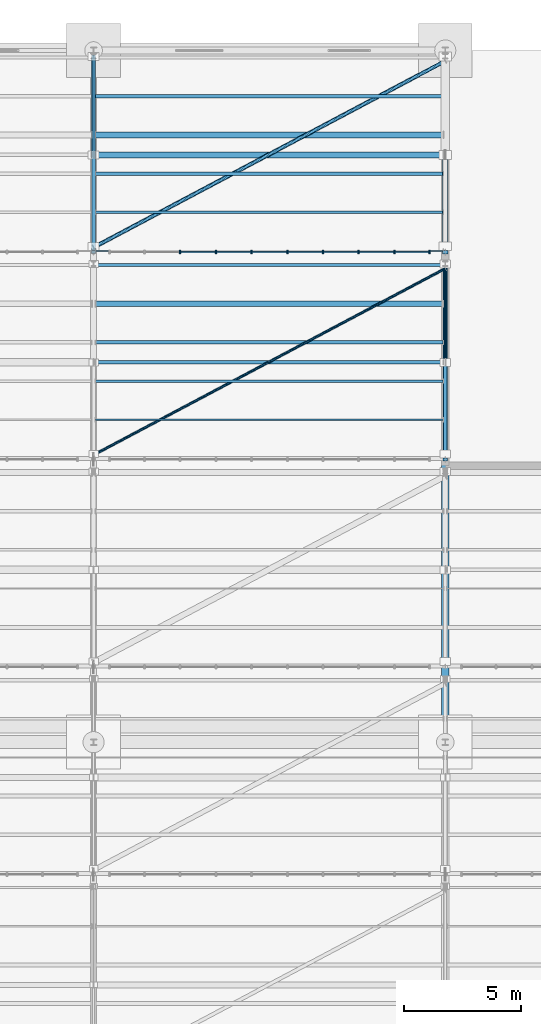
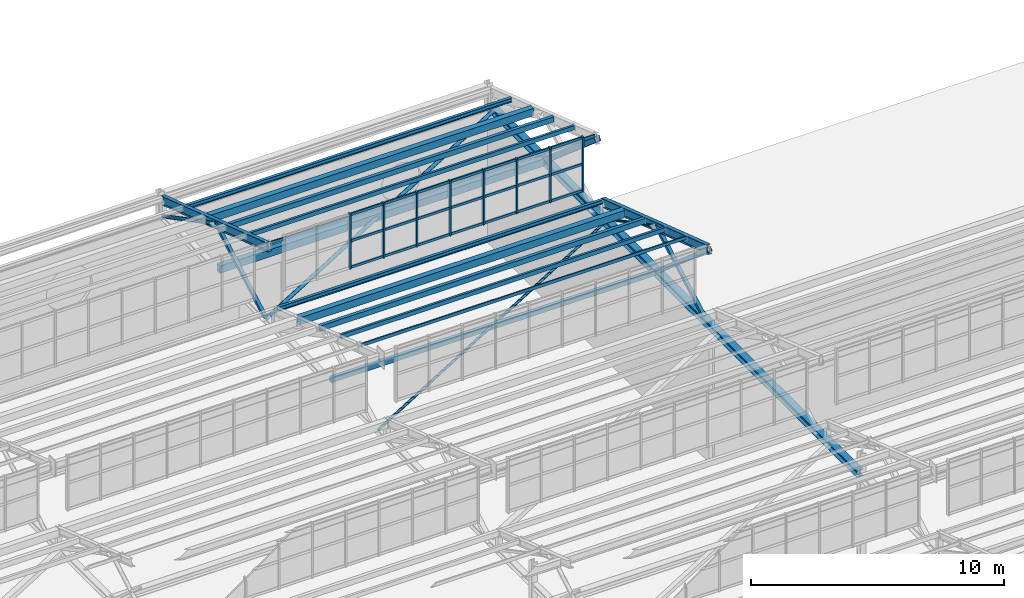
# One storey, part 132 of 285: 39 members, 13 beams, 1 element without a shape of its own.
"""IFC4 building model written with IfcOpenShell, lengths in metres."""

from ifc_helpers import new_model, si_unit, direction, frame, origin, origin_2d, place, context, subcontext, project, spatial, rectangle, hollow_rectangle, hollow_circle, i_section, extrude, material, material_profile, profile_set, type_object, element, aggregate, save


model = new_model("IFC4")

# Units and contexts
model_context = context("Model", 3, precision=1e-05, world=origin(), true_north=direction((0.0, 1.0)))
body_context = subcontext(model_context, "Body", "Model", "MODEL_VIEW")
ifc_project = project(units=[si_unit("LENGTHUNIT", "METRE"), si_unit("AREAUNIT", "SQUARE_METRE"), si_unit("VOLUMEUNIT", "CUBIC_METRE"), si_unit("PLANEANGLEUNIT", "RADIAN"), si_unit("MASSUNIT", "GRAM", prefix="KILO")], contexts=[model_context])

# Site, building, storey
site_placement = place(None, origin())
site = spatial("IfcSite", under=ifc_project, at=site_placement, CompositionType="ELEMENT")
building_placement = place(site_placement, origin())
building = spatial("IfcBuilding", under=site, at=building_placement, Name="Solanera Park Tramway Depot", CompositionType="ELEMENT")
storey_placement = place(building_placement, origin())
storey = spatial("IfcBuildingStorey", under=building, at=storey_placement, Name="L00", CompositionType="ELEMENT", Elevation=0.0)

# Curtain wall, members
ifc_material_1 = material(Name="Bronze-anodised thermally broken aluminium curtain wall", Category="aluminium")
curtain_wall_type = type_object("IfcCurtainWallType", Name="Sawtooth Clerestory Monitor Curtain Wall", PredefinedType="NOTDEFINED", material=ifc_material_1)
curtain_wall_placement = place(storey_placement, origin())
curtain_wall = element("IfcCurtainWall", 1, at=curtain_wall_placement, inside=storey, type_object=curtain_wall_type, Name="L00 Sawtooth Clerestory Monitor Curtain Wall #068", PredefinedType="NOTDEFINED")
ifc_material_2 = material(Name="Bronze-anodised structural aluminium 6063-T6", Category="aluminium")
ifc_material_profile_1 = material_profile(ifc_material_2, rectangle(XDim=0.06494140625, YDim=0.14990234375, at=origin_2d()), Name="Curtain Wall Mullion 65x150")
ifc_profile_set_1 = profile_set([ifc_material_profile_1], Name="Bronze-anodised structural aluminium 6063-T6")
member_type_1 = type_object("IfcMemberType", Name="Curtain Wall Mullion 65x150", PredefinedType="MULLION", material=ifc_profile_set_1)
member_1_placement = place(storey_placement, frame((48.6943359375, 135.39990234375, 7.75), z_axis=(0.0, 0.0, 1.0), x_axis=(1.0, 0.0, 0.0)))
member_1 = element("IfcMember", 2, at=member_1_placement, type_object=member_type_1, Name="CW-L00-068 Mullion 3", PredefinedType="MULLION", context=body_context, shape_type="SweptSolid", body=[
    extrude(rectangle(XDim=0.06494140625, YDim=0.14990234375, at=origin_2d()), origin(), (0.0, 0.0, 1.0), 2.6611328125),
])
member_2_placement = place(storey_placement, frame((50.216796875, 135.39990234375, 7.75), z_axis=(0.0, 0.0, 1.0), x_axis=(1.0, 0.0, 0.0)))
member_2 = element("IfcMember", 3, at=member_2_placement, type_object=member_type_1, Name="CW-L00-068 Mullion 4", PredefinedType="MULLION", context=body_context, shape_type="SweptSolid", body=[
    extrude(rectangle(XDim=0.06494140625, YDim=0.14990234375, at=origin_2d()), origin(), (0.0, 0.0, 1.0), 2.6611328125),
])
member_3_placement = place(storey_placement, frame((51.739013671875, 135.39990234375, 7.75), z_axis=(0.0, 0.0, 1.0), x_axis=(1.0, 0.0, 0.0)))
member_3 = element("IfcMember", 4, at=member_3_placement, type_object=member_type_1, Name="CW-L00-068 Mullion 5", PredefinedType="MULLION", context=body_context, shape_type="SweptSolid", body=[
    extrude(rectangle(XDim=0.06494140625, YDim=0.14990234375, at=origin_2d()), origin(), (0.0, 0.0, 1.0), 2.6611328125),
])
member_4_placement = place(storey_placement, frame((53.260986328125, 135.39990234375, 7.75), z_axis=(0.0, 0.0, 1.0), x_axis=(1.0, 0.0, 0.0)))
member_4 = element("IfcMember", 5, at=member_4_placement, type_object=member_type_1, Name="CW-L00-068 Mullion 6", PredefinedType="MULLION", context=body_context, shape_type="SweptSolid", body=[
    extrude(rectangle(XDim=0.06494140625, YDim=0.14990234375, at=origin_2d()), origin(), (0.0, 0.0, 1.0), 2.6611328125),
])
member_5_placement = place(storey_placement, frame((54.783203125, 135.39990234375, 7.75), z_axis=(0.0, 0.0, 1.0), x_axis=(1.0, 0.0, 0.0)))
member_5 = element("IfcMember", 6, at=member_5_placement, type_object=member_type_1, Name="CW-L00-068 Mullion 7", PredefinedType="MULLION", context=body_context, shape_type="SweptSolid", body=[
    extrude(rectangle(XDim=0.06494140625, YDim=0.14990234375, at=origin_2d()), origin(), (0.0, 0.0, 1.0), 2.6611328125),
])
member_6_placement = place(storey_placement, frame((56.3056640625, 135.39990234375, 7.75), z_axis=(0.0, 0.0, 1.0), x_axis=(1.0, 0.0, 0.0)))
member_6 = element("IfcMember", 7, at=member_6_placement, type_object=member_type_1, Name="CW-L00-068 Mullion 8", PredefinedType="MULLION", context=body_context, shape_type="SweptSolid", body=[
    extrude(rectangle(XDim=0.06494140625, YDim=0.14990234375, at=origin_2d()), origin(), (0.0, 0.0, 1.0), 2.6611328125),
])
member_7_placement = place(storey_placement, frame((57.827880859375, 135.39990234375, 7.75), z_axis=(0.0, 0.0, 1.0), x_axis=(1.0, 0.0, 0.0)))
member_7 = element("IfcMember", 8, at=member_7_placement, type_object=member_type_1, Name="CW-L00-068 Mullion 9", PredefinedType="MULLION", context=body_context, shape_type="SweptSolid", body=[
    extrude(rectangle(XDim=0.06494140625, YDim=0.14990234375, at=origin_2d()), origin(), (0.0, 0.0, 1.0), 2.6611328125),
])
member_8_placement = place(storey_placement, frame((59.3173828125, 135.39990234375, 7.75), z_axis=(0.0, 0.0, 1.0), x_axis=(1.0, 0.0, 0.0)))
member_8 = element("IfcMember", 9, at=member_8_placement, type_object=member_type_1, Name="CW-L00-068 Mullion 10", PredefinedType="MULLION", context=body_context, shape_type="SweptSolid", body=[
    extrude(rectangle(XDim=0.06494140625, YDim=0.14990234375, at=origin_2d()), origin(), (0.0, 0.0, 1.0), 2.6611328125),
])
ifc_material_3 = material(Name="Bronze-anodised structural aluminium 6063-T6", Category="aluminium")
ifc_material_profile_2 = material_profile(ifc_material_3, rectangle(XDim=0.06494140625, YDim=0.1201171875, at=origin_2d()), Name="Curtain Wall Transom 65x120")
ifc_profile_set_2 = profile_set([ifc_material_profile_2], Name="Bronze-anodised structural aluminium 6063-T6")
member_type_2 = type_object("IfcMemberType", Name="Curtain Wall Transom 65x120", PredefinedType="USERDEFINED", material=ifc_profile_set_2)
member_9_placement = place(storey_placement, frame((48.722412109375, 135.39990234375, 7.81005859375), z_axis=(1.0, 0.0, 0.0), x_axis=(0.0, 1.0, 0.0)))
member_9 = element("IfcMember", 10, at=member_9_placement, type_object=member_type_2, Name="CW-L00-068 Transom R1.C3", ObjectType="TRANSOM", PredefinedType="USERDEFINED", context=body_context, shape_type="SweptSolid", body=[
    extrude(rectangle(XDim=0.06494140625, YDim=0.1201171875, at=origin_2d()), origin(), (0.0, 0.0, 1.0), 1.46630859375),
])
member_10_placement = place(storey_placement, frame((50.24462890625, 135.39990234375, 7.81005859375), z_axis=(1.0, 0.0, 0.0), x_axis=(0.0, 1.0, 0.0)))
member_10 = element("IfcMember", 11, at=member_10_placement, type_object=member_type_2, Name="CW-L00-068 Transom R1.C4", ObjectType="TRANSOM", PredefinedType="USERDEFINED", context=body_context, shape_type="SweptSolid", body=[
    extrude(rectangle(XDim=0.06494140625, YDim=0.1201171875, at=origin_2d()), origin(), (0.0, 0.0, 1.0), 1.46630859375),
])
member_11_placement = place(storey_placement, frame((51.766845703125, 135.39990234375, 7.81005859375), z_axis=(1.0, 0.0, 0.0), x_axis=(0.0, 1.0, 0.0)))
member_11 = element("IfcMember", 12, at=member_11_placement, type_object=member_type_2, Name="CW-L00-068 Transom R1.C5", ObjectType="TRANSOM", PredefinedType="USERDEFINED", context=body_context, shape_type="SweptSolid", body=[
    extrude(rectangle(XDim=0.06494140625, YDim=0.1201171875, at=origin_2d()), origin(), (0.0, 0.0, 1.0), 1.46630859375),
])
member_12_placement = place(storey_placement, frame((53.2890625, 135.39990234375, 7.81005859375), z_axis=(1.0, 0.0, 0.0), x_axis=(0.0, 1.0, 0.0)))
member_12 = element("IfcMember", 13, at=member_12_placement, type_object=member_type_2, Name="CW-L00-068 Transom R1.C6", ObjectType="TRANSOM", PredefinedType="USERDEFINED", context=body_context, shape_type="SweptSolid", body=[
    extrude(rectangle(XDim=0.06494140625, YDim=0.1201171875, at=origin_2d()), origin(), (0.0, 0.0, 1.0), 1.46630859375),
])
member_13_placement = place(storey_placement, frame((54.811279296875, 135.39990234375, 7.81005859375), z_axis=(1.0, 0.0, 0.0), x_axis=(0.0, 1.0, 0.0)))
member_13 = element("IfcMember", 14, at=member_13_placement, type_object=member_type_2, Name="CW-L00-068 Transom R1.C7", ObjectType="TRANSOM", PredefinedType="USERDEFINED", context=body_context, shape_type="SweptSolid", body=[
    extrude(rectangle(XDim=0.06494140625, YDim=0.1201171875, at=origin_2d()), origin(), (0.0, 0.0, 1.0), 1.46630859375),
])
member_14_placement = place(storey_placement, frame((56.33349609375, 135.39990234375, 7.81005859375), z_axis=(1.0, 0.0, 0.0), x_axis=(0.0, 1.0, 0.0)))
member_14 = element("IfcMember", 15, at=member_14_placement, type_object=member_type_2, Name="CW-L00-068 Transom R1.C8", ObjectType="TRANSOM", PredefinedType="USERDEFINED", context=body_context, shape_type="SweptSolid", body=[
    extrude(rectangle(XDim=0.06494140625, YDim=0.1201171875, at=origin_2d()), origin(), (0.0, 0.0, 1.0), 1.46630859375),
])
member_15_placement = place(storey_placement, frame((57.855712890625, 135.39990234375, 7.81005859375), z_axis=(1.0, 0.0, 0.0), x_axis=(0.0, 1.0, 0.0)))
member_15 = element("IfcMember", 16, at=member_15_placement, type_object=member_type_2, Name="CW-L00-068 Transom R1.C9", ObjectType="TRANSOM", PredefinedType="USERDEFINED", context=body_context, shape_type="SweptSolid", body=[
    extrude(rectangle(XDim=0.06494140625, YDim=0.1201171875, at=origin_2d()), origin(), (0.0, 0.0, 1.0), 1.433837890625),
])
member_16_placement = place(storey_placement, frame((48.722412109375, 135.39990234375, 9.08056640625), z_axis=(1.0, 0.0, 0.0), x_axis=(0.0, 1.0, 0.0)))
member_16 = element("IfcMember", 17, at=member_16_placement, type_object=member_type_2, Name="CW-L00-068 Transom R2.C3", ObjectType="TRANSOM", PredefinedType="USERDEFINED", context=body_context, shape_type="SweptSolid", body=[
    extrude(rectangle(XDim=0.06494140625, YDim=0.1201171875, at=origin_2d()), origin(), (0.0, 0.0, 1.0), 1.46630859375),
])
member_17_placement = place(storey_placement, frame((50.24462890625, 135.39990234375, 9.08056640625), z_axis=(1.0, 0.0, 0.0), x_axis=(0.0, 1.0, 0.0)))
member_17 = element("IfcMember", 18, at=member_17_placement, type_object=member_type_2, Name="CW-L00-068 Transom R2.C4", ObjectType="TRANSOM", PredefinedType="USERDEFINED", context=body_context, shape_type="SweptSolid", body=[
    extrude(rectangle(XDim=0.06494140625, YDim=0.1201171875, at=origin_2d()), origin(), (0.0, 0.0, 1.0), 1.46630859375),
])
member_18_placement = place(storey_placement, frame((51.766845703125, 135.39990234375, 9.08056640625), z_axis=(1.0, 0.0, 0.0), x_axis=(0.0, 1.0, 0.0)))
member_18 = element("IfcMember", 19, at=member_18_placement, type_object=member_type_2, Name="CW-L00-068 Transom R2.C5", ObjectType="TRANSOM", PredefinedType="USERDEFINED", context=body_context, shape_type="SweptSolid", body=[
    extrude(rectangle(XDim=0.06494140625, YDim=0.1201171875, at=origin_2d()), origin(), (0.0, 0.0, 1.0), 1.46630859375),
])
member_19_placement = place(storey_placement, frame((53.2890625, 135.39990234375, 9.08056640625), z_axis=(1.0, 0.0, 0.0), x_axis=(0.0, 1.0, 0.0)))
member_19 = element("IfcMember", 20, at=member_19_placement, type_object=member_type_2, Name="CW-L00-068 Transom R2.C6", ObjectType="TRANSOM", PredefinedType="USERDEFINED", context=body_context, shape_type="SweptSolid", body=[
    extrude(rectangle(XDim=0.06494140625, YDim=0.1201171875, at=origin_2d()), origin(), (0.0, 0.0, 1.0), 1.46630859375),
])
member_20_placement = place(storey_placement, frame((54.811279296875, 135.39990234375, 9.08056640625), z_axis=(1.0, 0.0, 0.0), x_axis=(0.0, 1.0, 0.0)))
member_20 = element("IfcMember", 21, at=member_20_placement, type_object=member_type_2, Name="CW-L00-068 Transom R2.C7", ObjectType="TRANSOM", PredefinedType="USERDEFINED", context=body_context, shape_type="SweptSolid", body=[
    extrude(rectangle(XDim=0.06494140625, YDim=0.1201171875, at=origin_2d()), origin(), (0.0, 0.0, 1.0), 1.46630859375),
])
member_21_placement = place(storey_placement, frame((56.33349609375, 135.39990234375, 9.08056640625), z_axis=(1.0, 0.0, 0.0), x_axis=(0.0, 1.0, 0.0)))
member_21 = element("IfcMember", 22, at=member_21_placement, type_object=member_type_2, Name="CW-L00-068 Transom R2.C8", ObjectType="TRANSOM", PredefinedType="USERDEFINED", context=body_context, shape_type="SweptSolid", body=[
    extrude(rectangle(XDim=0.06494140625, YDim=0.1201171875, at=origin_2d()), origin(), (0.0, 0.0, 1.0), 1.46630859375),
])
member_22_placement = place(storey_placement, frame((57.855712890625, 135.39990234375, 9.08056640625), z_axis=(1.0, 0.0, 0.0), x_axis=(0.0, 1.0, 0.0)))
member_22 = element("IfcMember", 23, at=member_22_placement, type_object=member_type_2, Name="CW-L00-068 Transom R2.C9", ObjectType="TRANSOM", PredefinedType="USERDEFINED", context=body_context, shape_type="SweptSolid", body=[
    extrude(rectangle(XDim=0.06494140625, YDim=0.1201171875, at=origin_2d()), origin(), (0.0, 0.0, 1.0), 1.433837890625),
])
member_23_placement = place(storey_placement, frame((48.722412109375, 135.39990234375, 10.351318359375), z_axis=(1.0, 0.0, 0.0), x_axis=(0.0, 1.0, 0.0)))
member_23 = element("IfcMember", 24, at=member_23_placement, type_object=member_type_2, Name="CW-L00-068 Transom R3.C3", ObjectType="TRANSOM", PredefinedType="USERDEFINED", context=body_context, shape_type="SweptSolid", body=[
    extrude(rectangle(XDim=0.06494140625, YDim=0.1201171875, at=origin_2d()), origin(), (0.0, 0.0, 1.0), 1.46630859375),
])
member_24_placement = place(storey_placement, frame((50.24462890625, 135.39990234375, 10.351318359375), z_axis=(1.0, 0.0, 0.0), x_axis=(0.0, 1.0, 0.0)))
member_24 = element("IfcMember", 25, at=member_24_placement, type_object=member_type_2, Name="CW-L00-068 Transom R3.C4", ObjectType="TRANSOM", PredefinedType="USERDEFINED", context=body_context, shape_type="SweptSolid", body=[
    extrude(rectangle(XDim=0.06494140625, YDim=0.1201171875, at=origin_2d()), origin(), (0.0, 0.0, 1.0), 1.46630859375),
])
member_25_placement = place(storey_placement, frame((51.766845703125, 135.39990234375, 10.351318359375), z_axis=(1.0, 0.0, 0.0), x_axis=(0.0, 1.0, 0.0)))
member_25 = element("IfcMember", 26, at=member_25_placement, type_object=member_type_2, Name="CW-L00-068 Transom R3.C5", ObjectType="TRANSOM", PredefinedType="USERDEFINED", context=body_context, shape_type="SweptSolid", body=[
    extrude(rectangle(XDim=0.06494140625, YDim=0.1201171875, at=origin_2d()), origin(), (0.0, 0.0, 1.0), 1.46630859375),
])
member_26_placement = place(storey_placement, frame((53.2890625, 135.39990234375, 10.351318359375), z_axis=(1.0, 0.0, 0.0), x_axis=(0.0, 1.0, 0.0)))
member_26 = element("IfcMember", 27, at=member_26_placement, type_object=member_type_2, Name="CW-L00-068 Transom R3.C6", ObjectType="TRANSOM", PredefinedType="USERDEFINED", context=body_context, shape_type="SweptSolid", body=[
    extrude(rectangle(XDim=0.06494140625, YDim=0.1201171875, at=origin_2d()), origin(), (0.0, 0.0, 1.0), 1.46630859375),
])
member_27_placement = place(storey_placement, frame((54.811279296875, 135.39990234375, 10.351318359375), z_axis=(1.0, 0.0, 0.0), x_axis=(0.0, 1.0, 0.0)))
member_27 = element("IfcMember", 28, at=member_27_placement, type_object=member_type_2, Name="CW-L00-068 Transom R3.C7", ObjectType="TRANSOM", PredefinedType="USERDEFINED", context=body_context, shape_type="SweptSolid", body=[
    extrude(rectangle(XDim=0.06494140625, YDim=0.1201171875, at=origin_2d()), origin(), (0.0, 0.0, 1.0), 1.46630859375),
])
member_28_placement = place(storey_placement, frame((56.33349609375, 135.39990234375, 10.351318359375), z_axis=(1.0, 0.0, 0.0), x_axis=(0.0, 1.0, 0.0)))
member_28 = element("IfcMember", 29, at=member_28_placement, type_object=member_type_2, Name="CW-L00-068 Transom R3.C8", ObjectType="TRANSOM", PredefinedType="USERDEFINED", context=body_context, shape_type="SweptSolid", body=[
    extrude(rectangle(XDim=0.06494140625, YDim=0.1201171875, at=origin_2d()), origin(), (0.0, 0.0, 1.0), 1.46630859375),
])
member_29_placement = place(storey_placement, frame((57.855712890625, 135.39990234375, 10.351318359375), z_axis=(1.0, 0.0, 0.0), x_axis=(0.0, 1.0, 0.0)))
member_29 = element("IfcMember", 30, at=member_29_placement, type_object=member_type_2, Name="CW-L00-068 Transom R3.C9", ObjectType="TRANSOM", PredefinedType="USERDEFINED", context=body_context, shape_type="SweptSolid", body=[
    extrude(rectangle(XDim=0.06494140625, YDim=0.1201171875, at=origin_2d()), origin(), (0.0, 0.0, 1.0), 1.433837890625),
])
aggregate(curtain_wall, [member_1, member_2, member_3, member_4, member_5, member_6, member_7, member_8, member_9, member_10, member_11, member_12, member_13, member_14, member_15, member_16, member_17, member_18, member_19, member_20, member_21, member_22, member_23, member_24, member_25, member_26, member_27, member_28, member_29])

# Members
ifc_material_4 = material(Name="Steel AS/NZS 1163 Grade C350L0", Category="steel")
ifc_material_profile_3 = material_profile(ifc_material_4, hollow_rectangle(XDim=0.14990234375, YDim=0.14990234375, WallThickness=0.006103515625, at=origin_2d()), Name="150x150x6.0 SHS")
ifc_profile_set_3 = profile_set([ifc_material_profile_3], Name="Steel AS/NZS 1163 Grade C350L0")
member_type_3 = type_object("IfcMemberType", Name="Roof Gantry Compression Strut 150x150x6.0 SHS", PredefinedType="STRUT", material=ifc_profile_set_3)
for number, where, z_axis, x_axis, name in (
    (31, (60.0, 126.800048828125, 6.5), (0.0, 0.871630906744, 0.490162791742), (-1.0, 0.0, 0.0), "Sawtooth ROOF TRUSS Strut 150x150x6.0 SHS #0378"),
    (32, (45.0, 135.64990234375, 6.5), (0.0, 0.871644015716, 0.490139480011), (-1.0, 0.0, 0.0), "Sawtooth ROOF TRUSS Strut 150x150x6.0 SHS #0409"),
):
    element("IfcMember", number, at=place(storey_placement, frame(where, z_axis=z_axis, x_axis=x_axis)), inside=storey, type_object=member_type_3, Name=name, PredefinedType="STRUT", context=body_context, shape_type="SweptSolid", body=[
        extrude(hollow_rectangle(XDim=0.14990234375, YDim=0.14990234375, WallThickness=0.006103515625, at=origin_2d()), origin(), (0.0, 0.0, 1.0), 4.474365234375),
    ])
ifc_material_5 = material(Name="Steel AS/NZS 1163 Grade C350L0", Category="steel")
ifc_material_profile_4 = material_profile(ifc_material_5, hollow_rectangle(XDim=0.14990234375, YDim=0.25, WallThickness=0.008056640625, at=origin_2d()), Name="250x150x8.0 RHS")
ifc_profile_set_4 = profile_set([ifc_material_profile_4], Name="Steel AS/NZS 1163 Grade C350L0")
member_type_4 = type_object("IfcMemberType", Name="Secondary Truss Chord 250x150x8.0 RHS", PredefinedType="CHORD", material=ifc_profile_set_4)
member_30_placement = place(storey_placement, frame((45.087890625, 130.699951171875, 6.5), z_axis=(1.0, 0.0, 0.0), x_axis=(0.0, 1.0, 0.0)))
element("IfcMember", 33, at=member_30_placement, inside=storey, type_object=member_type_4, Name="Sawtooth Longitudinal Tie Chord 250x150x8.0 RHS #0394", PredefinedType="CHORD", context=body_context, shape_type="SweptSolid", body=[
    extrude(hollow_rectangle(XDim=0.14990234375, YDim=0.25, WallThickness=0.008056640625, at=origin_2d()), origin(), (0.0, 0.0, 1.0), 14.82421875),
])
ifc_material_6 = material(Name="Steel AS/NZS 1163 Grade C350L0", Category="steel")
ifc_material_profile_5 = material_profile(ifc_material_6, hollow_rectangle(XDim=0.25, YDim=0.35009765625, WallThickness=0.010009765625, at=origin_2d()), Name="350x250x10.0 RHS")
ifc_profile_set_5 = profile_set([ifc_material_profile_5], Name="Steel AS/NZS 1163 Grade C350L0")
member_type_5 = type_object("IfcMemberType", Name="Secondary Truss Chord 350x250x10.0 RHS", PredefinedType="CHORD", material=ifc_profile_set_5)
member_31_placement = place(storey_placement, frame((45.087890625, 139.550048828125, 6.5), z_axis=(1.0, 0.0, 0.0), x_axis=(0.0, 1.0, 0.0)))
element("IfcMember", 34, at=member_31_placement, inside=storey, type_object=member_type_5, Name="Sawtooth Longitudinal Tie Chord 350x250x10.0 RHS #0428", PredefinedType="CHORD", context=body_context, shape_type="SweptSolid", body=[
    extrude(hollow_rectangle(XDim=0.25, YDim=0.35009765625, WallThickness=0.010009765625, at=origin_2d()), origin(), (0.0, 0.0, 1.0), 14.82421875),
])

# Beams
ifc_material_7 = material(Name="Steel AS/NZS 3679.1 Grade 350", Category="steel")
ifc_material_profile_6 = material_profile(ifc_material_7, i_section(OverallWidth=0.306884765625, OverallDepth=0.314697265625, WebThickness=0.011962890625, FlangeThickness=0.018798828125, at=origin_2d()), Name="310UC118")
ifc_profile_set_6 = profile_set([ifc_material_profile_6], Name="Steel AS/NZS 3679.1 Grade 350")
beam_type_1 = type_object("IfcBeamType", Name="Steel Beam 310UC118", PredefinedType="BEAM", material=ifc_profile_set_6)
beam_1_placement = place(storey_placement, frame((60.0, 114.627685546875, 6.5), z_axis=(0.0, 1.0, 0.0), x_axis=(-1.0, 0.0, 0.0)))
element("IfcBeam", 35, at=beam_1_placement, inside=storey, type_object=beam_type_1, Name="Sawtooth ROOF TRUSS Bottom Chord 310UC118 #0381", PredefinedType="BEAM", context=body_context, shape_type="SweptSolid", body=[
    extrude(i_section(OverallWidth=0.306884765625, OverallDepth=0.314697265625, WebThickness=0.011962890625, FlangeThickness=0.018798828125, at=origin_2d()), origin(), (0.0, 0.0, 1.0), 29.24462890625),
])
ifc_material_8 = material(Name="Steel AS/NZS 3679.1 Grade 350", Category="steel")
ifc_material_profile_7 = material_profile(ifc_material_8, i_section(OverallWidth=0.177734375, OverallDepth=0.406494140625, WebThickness=0.0078125, FlangeThickness=0.0126953125, at=origin_2d()), Name="410UB59.7")
ifc_profile_set_7 = profile_set([ifc_material_profile_7], Name="Steel AS/NZS 3679.1 Grade 350")
beam_type_2 = type_object("IfcBeamType", Name="Steel Beam 410UB59.7", PredefinedType="BEAM", material=ifc_profile_set_7)
beam_2_placement = place(storey_placement, frame((60.0, 126.550048828125, 10.08154296875), z_axis=(0.0, 0.948319437663, -0.317317261034), x_axis=(-1.0, 0.0, 0.0)))
element("IfcBeam", 36, at=beam_2_placement, inside=storey, type_object=beam_type_2, Name="Sawtooth ROOF TRUSS Top Rafter 410UB59.7 B09-T4", PredefinedType="BEAM", context=body_context, shape_type="SweptSolid", body=[
    extrude(i_section(OverallWidth=0.177734375, OverallDepth=0.406494140625, WebThickness=0.0078125, FlangeThickness=0.0126953125, at=origin_2d()), origin(), (0.0, 0.0, 1.0), 8.804931640625),
])
beam_3_placement = place(storey_placement, frame((45.0, 135.39990234375, 10.08154296875), z_axis=(0.0, 0.948322229475, -0.317308917435), x_axis=(-1.0, 0.0, 0.0)))
element("IfcBeam", 37, at=beam_3_placement, inside=storey, type_object=beam_type_2, Name="Sawtooth ROOF TRUSS Top Rafter 410UB59.7 B10-T3", PredefinedType="BEAM", context=body_context, shape_type="SweptSolid", body=[
    extrude(i_section(OverallWidth=0.177734375, OverallDepth=0.406494140625, WebThickness=0.0078125, FlangeThickness=0.0126953125, at=origin_2d()), origin(), (0.0, 0.0, 1.0), 8.80517578125),
])
ifc_material_9 = material(Name="Steel AS/NZS 1163 Grade C350L0", Category="steel")
ifc_material_profile_8 = material_profile(ifc_material_9, hollow_rectangle(XDim=0.050048828125, YDim=0.14990234375, WallThickness=0.0048828125, at=origin_2d()), Name="150x50x5.0 RHS")
ifc_profile_set_8 = profile_set([ifc_material_profile_8], Name="Steel AS/NZS 1163 Grade C350L0")
beam_type_3 = type_object("IfcBeamType", Name="Steel Joist Purlin 150x50x5.0 RHS", PredefinedType="JOIST", material=ifc_profile_set_8)
beam_4_placement = place(storey_placement, frame((45.077880859375, 128.25, 9.654541015625), z_axis=(1.0, 0.0, 0.0), x_axis=(0.0, 1.0, 0.0)))
element("IfcBeam", 38, at=beam_4_placement, inside=storey, type_object=beam_type_3, Name="Sawtooth Roof Purlin 150x50x5.0 RHS B09.2", PredefinedType="JOIST", context=body_context, shape_type="SweptSolid", body=[
    extrude(hollow_rectangle(XDim=0.050048828125, YDim=0.14990234375, WallThickness=0.0048828125, at=origin_2d()), origin(), (0.0, 0.0, 1.0), 14.84130859375),
])
beam_5_placement = place(storey_placement, frame((45.080810546875, 135.449951171875, 10.206787109375), z_axis=(1.0, 0.0, 0.0), x_axis=(0.0, 1.0, 0.0)))
element("IfcBeam", 39, at=beam_5_placement, inside=storey, type_object=beam_type_3, Name="Sawtooth Roof Purlin 150x50x5.0 RHS B10.1", PredefinedType="JOIST", context=body_context, shape_type="SweptSolid", body=[
    extrude(hollow_rectangle(XDim=0.050048828125, YDim=0.14990234375, WallThickness=0.0048828125, at=origin_2d()), origin(), (0.0, 0.0, 1.0), 14.83203125),
])
ifc_material_10 = material(Name="Steel AS/NZS 3679.1 Grade 350", Category="steel")
ifc_material_profile_9 = material_profile(ifc_material_10, i_section(OverallWidth=0.13330078125, OverallDepth=0.203125, WebThickness=0.005859375, FlangeThickness=0.0078125, at=origin_2d()), Name="200UB25.4")
ifc_profile_set_9 = profile_set([ifc_material_profile_9], Name="Steel AS/NZS 3679.1 Grade 350")
beam_type_4 = type_object("IfcBeamType", Name="Steel Joist Purlin 200UB25.4", PredefinedType="JOIST", material=ifc_profile_set_9)
beam_6_placement = place(storey_placement, frame((45.077880859375, 134.85009765625, 7.40576171875), z_axis=(1.0, 0.0, 0.0), x_axis=(0.0, 1.0, 0.0)))
element("IfcBeam", 40, at=beam_6_placement, inside=storey, type_object=beam_type_4, Name="Sawtooth Roof Purlin 200UB25.4 B09.6", PredefinedType="JOIST", context=body_context, shape_type="SweptSolid", body=[
    extrude(i_section(OverallWidth=0.13330078125, OverallDepth=0.203125, WebThickness=0.005859375, FlangeThickness=0.0078125, at=origin_2d()), origin(), (0.0, 0.0, 1.0), 14.84130859375),
])
beam_7_placement = place(storey_placement, frame((45.080810546875, 142.050048828125, 7.9580078125), z_axis=(1.0, 0.0, 0.0), x_axis=(0.0, 1.0, 0.0)))
element("IfcBeam", 41, at=beam_7_placement, inside=storey, type_object=beam_type_4, Name="Sawtooth Roof Purlin 200UB25.4 B10.5", PredefinedType="JOIST", context=body_context, shape_type="SweptSolid", body=[
    extrude(i_section(OverallWidth=0.13330078125, OverallDepth=0.203125, WebThickness=0.005859375, FlangeThickness=0.0078125, at=origin_2d()), origin(), (0.0, 0.0, 1.0), 14.83203125),
])
ifc_material_11 = material(Name="Steel AS/NZS 1163 Grade C350L0", Category="steel")
ifc_material_profile_10 = material_profile(ifc_material_11, hollow_rectangle(XDim=0.10009765625, YDim=0.199951171875, WallThickness=0.006103515625, at=origin_2d()), Name="200x100x6.0 RHS")
ifc_profile_set_10 = profile_set([ifc_material_profile_10], Name="Steel AS/NZS 1163 Grade C350L0")
beam_type_5 = type_object("IfcBeamType", Name="Steel Joist Purlin 200x100x6.0 RHS", PredefinedType="JOIST", material=ifc_profile_set_10)
beam_8_placement = place(storey_placement, frame((45.077880859375, 129.89990234375, 9.069091796875), z_axis=(1.0, 0.0, 0.0), x_axis=(0.0, 1.0, 0.0)))
element("IfcBeam", 42, at=beam_8_placement, inside=storey, type_object=beam_type_5, Name="Sawtooth Roof Purlin 200x100x6.0 RHS B09.3", PredefinedType="JOIST", context=body_context, shape_type="SweptSolid", body=[
    extrude(hollow_rectangle(XDim=0.10009765625, YDim=0.199951171875, WallThickness=0.006103515625, at=origin_2d()), origin(), (0.0, 0.0, 1.0), 14.84130859375),
])
beam_9_placement = place(storey_placement, frame((45.080810546875, 137.10009765625, 9.621337890625), z_axis=(1.0, 0.0, 0.0), x_axis=(0.0, 1.0, 0.0)))
element("IfcBeam", 43, at=beam_9_placement, inside=storey, type_object=beam_type_5, Name="Sawtooth Roof Purlin 200x100x6.0 RHS B10.2", PredefinedType="JOIST", context=body_context, shape_type="SweptSolid", body=[
    extrude(hollow_rectangle(XDim=0.10009765625, YDim=0.199951171875, WallThickness=0.006103515625, at=origin_2d()), origin(), (0.0, 0.0, 1.0), 14.83203125),
])
ifc_material_12 = material(Name="Steel AS/NZS 1163 Grade C350L0", Category="steel")
ifc_material_profile_11 = material_profile(ifc_material_12, hollow_rectangle(XDim=0.14990234375, YDim=0.25, WallThickness=0.008056640625, at=origin_2d()), Name="250x150x8.0 RHS")
ifc_profile_set_11 = profile_set([ifc_material_profile_11], Name="Steel AS/NZS 1163 Grade C350L0")
beam_type_6 = type_object("IfcBeamType", Name="Steel Joist Purlin 250x150x8.0 RHS", PredefinedType="JOIST", material=ifc_profile_set_11)
beam_10_placement = place(storey_placement, frame((45.077880859375, 131.550048828125, 8.483642578125), z_axis=(1.0, 0.0, 0.0), x_axis=(0.0, 1.0, 0.0)))
element("IfcBeam", 44, at=beam_10_placement, inside=storey, type_object=beam_type_6, Name="Sawtooth Roof Purlin 250x150x8.0 RHS B09.4", PredefinedType="JOIST", context=body_context, shape_type="SweptSolid", body=[
    extrude(hollow_rectangle(XDim=0.14990234375, YDim=0.25, WallThickness=0.008056640625, at=origin_2d()), origin(), (0.0, 0.0, 1.0), 14.84130859375),
])
beam_11_placement = place(storey_placement, frame((45.080810546875, 138.75, 9.035888671875), z_axis=(1.0, 0.0, 0.0), x_axis=(0.0, 1.0, 0.0)))
element("IfcBeam", 45, at=beam_11_placement, inside=storey, type_object=beam_type_6, Name="Sawtooth Roof Purlin 250x150x8.0 RHS B10.3", PredefinedType="JOIST", context=body_context, shape_type="SweptSolid", body=[
    extrude(hollow_rectangle(XDim=0.14990234375, YDim=0.25, WallThickness=0.008056640625, at=origin_2d()), origin(), (0.0, 0.0, 1.0), 14.83203125),
])
ifc_material_13 = material(Name="Steel AS/NZS 1163 Grade C350L0", Category="steel")
ifc_material_profile_12 = material_profile(ifc_material_13, hollow_rectangle(XDim=0.25, YDim=0.35009765625, WallThickness=0.010009765625, at=origin_2d()), Name="350x250x10.0 RHS")
ifc_profile_set_12 = profile_set([ifc_material_profile_12], Name="Steel AS/NZS 1163 Grade C350L0")
beam_type_7 = type_object("IfcBeamType", Name="Steel Joist Purlin 350x250x10.0 RHS", PredefinedType="JOIST", material=ifc_profile_set_12)
beam_12_placement = place(storey_placement, frame((45.077880859375, 133.199951171875, 7.864990234375), z_axis=(1.0, 0.0, 0.0), x_axis=(0.0, 1.0, 0.0)))
element("IfcBeam", 46, at=beam_12_placement, inside=storey, type_object=beam_type_7, Name="Sawtooth Roof Purlin 350x250x10.0 RHS B09.5", PredefinedType="JOIST", context=body_context, shape_type="SweptSolid", body=[
    extrude(hollow_rectangle(XDim=0.25, YDim=0.35009765625, WallThickness=0.010009765625, at=origin_2d()), origin(), (0.0, 0.0, 1.0), 14.84130859375),
])
beam_13_placement = place(storey_placement, frame((45.080810546875, 140.39990234375, 8.4169921875), z_axis=(1.0, 0.0, 0.0), x_axis=(0.0, 1.0, 0.0)))
element("IfcBeam", 47, at=beam_13_placement, inside=storey, type_object=beam_type_7, Name="Sawtooth Roof Purlin 350x250x10.0 RHS B10.4", PredefinedType="JOIST", context=body_context, shape_type="SweptSolid", body=[
    extrude(hollow_rectangle(XDim=0.25, YDim=0.35009765625, WallThickness=0.010009765625, at=origin_2d()), origin(), (0.0, 0.0, 1.0), 14.83203125),
])

# Members
ifc_material_14 = material(Name="Steel AS/NZS 1163 Grade C350L0", Category="steel")
ifc_material_profile_13 = material_profile(ifc_material_14, hollow_circle(Radius=0.05712890625, WallThickness=0.0048828125, at=origin_2d()), Name="114.3x4.8 CHS")
ifc_profile_set_13 = profile_set([ifc_material_profile_13], Name="Steel AS/NZS 1163 Grade C350L0")
member_type_6 = type_object("IfcMemberType", Name="Truss and Frame Brace 114.3x4.8 CHS", PredefinedType="BRACE", material=ifc_profile_set_13)
member_32_placement = place(storey_placement, frame((60.0, 134.89990234375, 6.5), z_axis=(0.0, -0.886425847493, 0.462870626521), x_axis=(1.0, 0.0, 0.0)))
element("IfcMember", 48, at=member_32_placement, inside=storey, type_object=member_type_6, Name="Sawtooth ROOF TRUSS Diagonal 114.3x4.8 CHS #0377", PredefinedType="BRACE", context=body_context, shape_type="SweptSolid", body=[
    extrude(hollow_circle(Radius=0.05712890625, WallThickness=0.0048828125, at=origin_2d()), origin(), (0.0, 0.0, 1.0), 4.738037109375),
])
member_33_placement = place(storey_placement, frame((45.001953125, 126.75, 6.5), z_axis=(0.883523615038, 0.468386615598, 0.0), x_axis=(-0.468386615598, 0.883523615038, 0.0)))
element("IfcMember", 49, at=member_33_placement, inside=storey, type_object=member_type_6, Name="Roof Plane Cyclonic Brace 114.3x4.8 CHS #0395", PredefinedType="BRACE", context=body_context, shape_type="SweptSolid", body=[
    extrude(hollow_circle(Radius=0.05712890625, WallThickness=0.0048828125, at=origin_2d()), origin(), (0.0, 0.0, 1.0), 16.97314453125),
])
ifc_material_15 = material(Name="Steel AS/NZS 1163 Grade C350L0", Category="steel")
ifc_material_profile_14 = material_profile(ifc_material_15, hollow_circle(Radius=0.084228515625, WallThickness=0.00634765625, at=origin_2d()), Name="168.3x6.4 CHS")
ifc_profile_set_14 = profile_set([ifc_material_profile_14], Name="Steel AS/NZS 1163 Grade C350L0")
member_type_7 = type_object("IfcMemberType", Name="Truss and Frame Brace 168.3x6.4 CHS", PredefinedType="BRACE", material=ifc_profile_set_14)
member_34_placement = place(storey_placement, frame((45.0, 143.75, 6.5), z_axis=(0.0, -0.886425847493, 0.462870626521), x_axis=(1.0, 0.0, 0.0)))
element("IfcMember", 50, at=member_34_placement, inside=storey, type_object=member_type_7, Name="Sawtooth ROOF TRUSS Diagonal 168.3x6.4 CHS #0408", PredefinedType="BRACE", context=body_context, shape_type="SweptSolid", body=[
    extrude(hollow_circle(Radius=0.084228515625, WallThickness=0.00634765625, at=origin_2d()), origin(), (0.0, 0.0, 1.0), 4.738037109375),
])
member_35_placement = place(storey_placement, frame((45.001953125, 135.60009765625, 6.5), z_axis=(0.883523615038, 0.468386615598, 0.0), x_axis=(-0.468386615598, 0.883523615038, 0.0)))
element("IfcMember", 51, at=member_35_placement, inside=storey, type_object=member_type_7, Name="Roof Plane Cyclonic Brace 168.3x6.4 CHS #0429", PredefinedType="BRACE", context=body_context, shape_type="SweptSolid", body=[
    extrude(hollow_circle(Radius=0.084228515625, WallThickness=0.00634765625, at=origin_2d()), origin(), (0.0, 0.0, 1.0), 16.97314453125),
])
ifc_material_16 = material(Name="Steel AS/NZS 1163 Grade C350L0", Category="steel")
ifc_material_profile_15 = material_profile(ifc_material_16, hollow_rectangle(XDim=0.199951171875, YDim=0.199951171875, WallThickness=0.008056640625, at=origin_2d()), Name="200x200x8.0 SHS")
ifc_profile_set_15 = profile_set([ifc_material_profile_15], Name="Steel AS/NZS 1163 Grade C350L0")
member_type_8 = type_object("IfcMemberType", Name="Truss and Frame Brace 200x200x8.0 SHS", PredefinedType="BRACE", material=ifc_profile_set_15)
member_36_placement = place(storey_placement, frame((60.0, 130.699951171875, 6.5), z_axis=(0.0, -0.757045281618, 0.653362412127), x_axis=(1.0, 0.0, 0.0)))
element("IfcMember", 52, at=member_36_placement, inside=storey, type_object=member_type_8, Name="Sawtooth ROOF TRUSS Web Brace 200x200x8.0 SHS #0376", PredefinedType="BRACE", context=body_context, shape_type="SweptSolid", body=[
    extrude(hollow_rectangle(XDim=0.199951171875, YDim=0.199951171875, WallThickness=0.008056640625, at=origin_2d()), origin(), (0.0, 0.0, 1.0), 5.481689453125),
])
ifc_material_17 = material(Name="Steel AS/NZS 1163 Grade C350L0", Category="steel")
ifc_material_profile_16 = material_profile(ifc_material_17, hollow_rectangle(XDim=0.25, YDim=0.25, WallThickness=0.010009765625, at=origin_2d()), Name="250x250x10.0 SHS")
ifc_profile_set_16 = profile_set([ifc_material_profile_16], Name="Steel AS/NZS 1163 Grade C350L0")
member_type_9 = type_object("IfcMemberType", Name="Truss and Frame Brace 250x250x10.0 SHS", PredefinedType="BRACE", material=ifc_profile_set_16)
member_37_placement = place(storey_placement, frame((60.0, 139.550048828125, 6.5), z_axis=(0.0, -0.759357496503, 0.650673645159), x_axis=(1.0, 0.0, 0.0)))
element("IfcMember", 53, at=member_37_placement, inside=storey, type_object=member_type_9, Name="Sawtooth ROOF TRUSS Web Brace 250x250x10.0 SHS #0410", PredefinedType="BRACE", context=body_context, shape_type="SweptSolid", body=[
    extrude(hollow_rectangle(XDim=0.25, YDim=0.25, WallThickness=0.010009765625, at=origin_2d()), origin(), (0.0, 0.0, 1.0), 5.46533203125),
])

save(model, "model.ifc")
